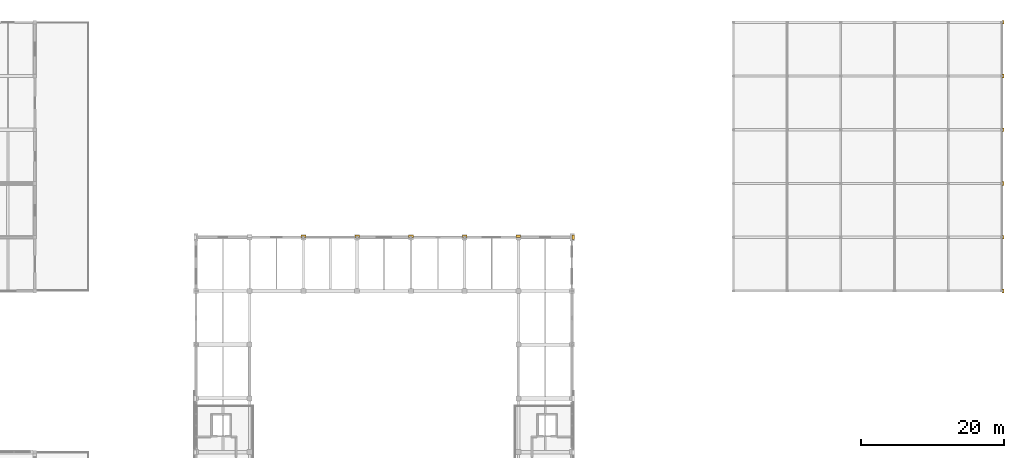
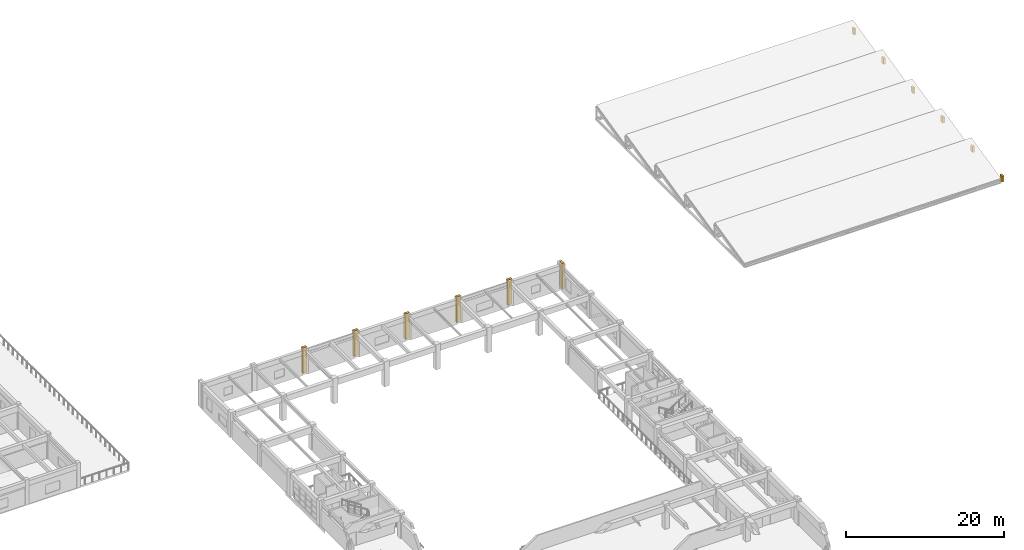
# One storey, part 82 of 82: 12 coverings.
"""IFC4 building model written with IfcOpenShell, lengths in metres."""

from ifc_helpers import new_model, si_unit, direction, frame, origin, origin_2d, place, context, subcontext, project, spatial, rectangle, extrude, material, layer, layer_set, type_object, element, save


model = new_model("IFC4")

# Units and contexts
model_context = context("Model", 3, precision=1e-05, world=origin(), true_north=direction((0.0, 1.0)))
body_context = subcontext(model_context, "Body", "Model", "MODEL_VIEW")
ifc_project = project(units=[si_unit("LENGTHUNIT", "METRE"), si_unit("AREAUNIT", "SQUARE_METRE"), si_unit("VOLUMEUNIT", "CUBIC_METRE"), si_unit("PLANEANGLEUNIT", "RADIAN"), si_unit("MASSUNIT", "GRAM", prefix="KILO")], contexts=[model_context])

# Site, building, storey
site_placement = place(None, origin())
site = spatial("IfcSite", under=ifc_project, at=site_placement, CompositionType="ELEMENT")
building_placement = place(site_placement, origin())
building = spatial("IfcBuilding", under=site, at=building_placement, Name="Qasida Concert Hall", CompositionType="ELEMENT")
storey_placement = place(building_placement, frame((0.0, 0.0, 17.10009765625)))
storey = spatial("IfcBuildingStorey", under=building, at=storey_placement, Name="L04", CompositionType="ELEMENT", Elevation=17.10009765625)

# Coverings
ifc_material = material(Name="Projecting fluted Lebanese limestone Art Deco pilaster", Category="masonry")
ifc_layer = layer(ifc_material, 0.35009765625, Name="Projecting fluted Lebanese limestone Art Deco pilaster")
ifc_layer_set = layer_set([ifc_layer], Name="Projecting fluted Lebanese limestone Art Deco pilaster")
covering_type = type_object("IfcCoveringType", Name="CV-PIL-650", PredefinedType="CLADDING", material=ifc_layer_set)
covering_placement = place(storey_placement, frame((105.135009765625, 82.5, 0.0), z_axis=(0.0, 0.0, 1.0), x_axis=(1.0, 0.0, 0.0)))
element("IfcCovering", 1, at=covering_placement, inside=storey, type_object=covering_type, Name="L04 fluted limestone pilaster 0096", PredefinedType="CLADDING", context=body_context, shape_type="SweptSolid", body=[
    extrude(rectangle(XDim=0.35009765625, YDim=0.64990234375, at=origin_2d()), origin(), (0.0, 0.0, 1.0), 3.89990234375),
])
for number, where, z_axis, x_axis, name in (
    (2, (67.5, 82.635009765625, 0.0), (0.0, 0.0, 1.0), (1.0, 0.0, 0.0), "L04 fluted limestone pilaster 0110"),
    (3, (75.0, 82.635009765625, 0.0), (0.0, 0.0, 1.0), (1.0, 0.0, 0.0), "L04 fluted limestone pilaster 0117"),
    (4, (82.5, 82.635009765625, 0.0), (0.0, 0.0, 1.0), (1.0, 0.0, 0.0), "L04 fluted limestone pilaster 0124"),
    (5, (90.0, 82.635009765625, 0.0), (0.0, 0.0, 1.0), (1.0, 0.0, 0.0), "L04 fluted limestone pilaster 0131"),
    (6, (97.5, 82.635009765625, 0.0), (0.0, 0.0, 1.0), (1.0, 0.0, 0.0), "L04 fluted limestone pilaster 0138"),
):
    element("IfcCovering", number, at=place(storey_placement, frame(where, z_axis=z_axis, x_axis=x_axis)), inside=storey, type_object=covering_type, Name=name, PredefinedType="CLADDING", context=body_context, shape_type="SweptSolid", body=[
        extrude(rectangle(XDim=0.64990234375, YDim=0.35009765625, at=origin_2d()), origin(), (0.0, 0.0, 1.0), 3.89990234375),
    ])
for number, where, z_axis, x_axis, name in (
    (7, (165.135009765625, 75.0, 0.0), (0.0, 0.0, 1.0), (1.0, 0.0, 0.0), "Stepped Art Deco pier finial 0239"),
    (8, (165.135009765625, 82.5, 0.0), (0.0, 0.0, 1.0), (1.0, 0.0, 0.0), "Stepped Art Deco pier finial 0244"),
    (9, (165.135009765625, 90.0, 0.0), (0.0, 0.0, 1.0), (1.0, 0.0, 0.0), "Stepped Art Deco pier finial 0249"),
    (10, (165.135009765625, 97.5, 0.0), (0.0, 0.0, 1.0), (1.0, 0.0, 0.0), "Stepped Art Deco pier finial 0254"),
    (11, (165.135009765625, 105.0, 0.0), (0.0, 0.0, 1.0), (1.0, 0.0, 0.0), "Stepped Art Deco pier finial 0259"),
    (12, (165.135009765625, 112.5, 0.0), (0.0, 0.0, 1.0), (1.0, 0.0, 0.0), "Stepped Art Deco pier finial 0264"),
):
    element("IfcCovering", number, at=place(storey_placement, frame(where, z_axis=z_axis, x_axis=x_axis)), inside=storey, type_object=covering_type, Name=name, PredefinedType="CLADDING", context=body_context, shape_type="SweptSolid", body=[
        extrude(rectangle(XDim=0.300048828125, YDim=0.52001953125, at=origin_2d()), origin(), (0.0, 0.0, 1.0), 0.89990234375),
    ])

save(model, "model.ifc")
